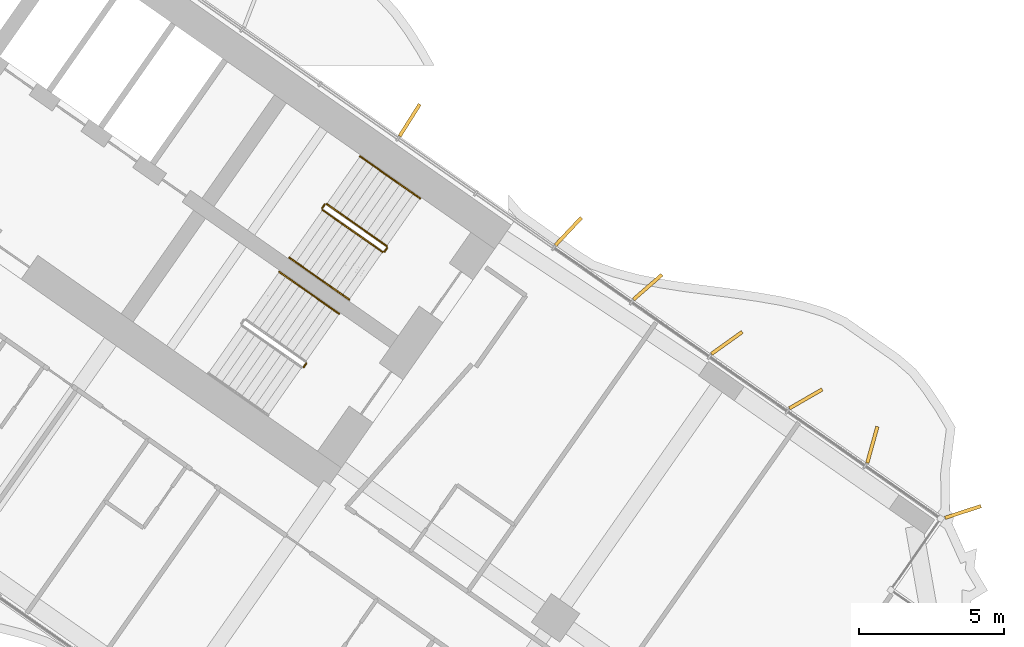
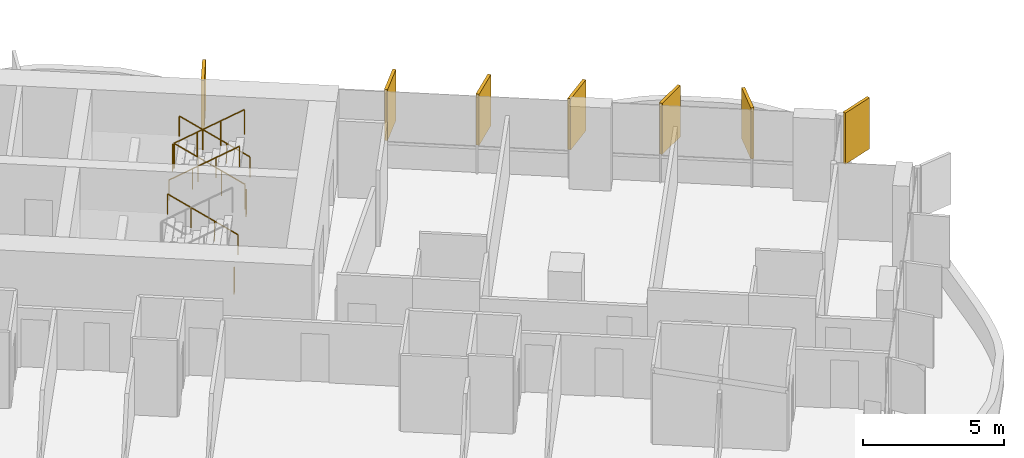
# One storey, part 24 of 24: 8 railings, 7 shading devices.
"""IFC4 building model written with IfcOpenShell, lengths in metres."""

from ifc_helpers import new_model, si_unit, direction, frame, origin, origin_2d, place, context, subcontext, project, spatial, rectangle, circle, extrude, material, layer, layer_set, type_object, element, save


model = new_model("IFC4")

# Units and contexts
model_context = context("Model", 3, precision=1e-05, world=origin(), true_north=direction((0.0, 1.0)))
body_context = subcontext(model_context, "Body", "Model", "MODEL_VIEW")
ifc_project = project(units=[si_unit("LENGTHUNIT", "METRE"), si_unit("AREAUNIT", "SQUARE_METRE"), si_unit("VOLUMEUNIT", "CUBIC_METRE"), si_unit("PLANEANGLEUNIT", "RADIAN"), si_unit("MASSUNIT", "GRAM", prefix="KILO")], contexts=[model_context])

# Site, building, storey
site_placement = place(None, origin())
site = spatial("IfcSite", under=ifc_project, at=site_placement, CompositionType="ELEMENT")
building_placement = place(site_placement, origin())
building = spatial("IfcBuilding", under=site, at=building_placement, Name="Tel Ilan Convention Tower", CompositionType="ELEMENT")
storey_placement = place(building_placement, frame((0.0, 0.0, 65.300048828125)))
storey = spatial("IfcBuildingStorey", under=building, at=storey_placement, Name="L11", CompositionType="ELEMENT", Elevation=65.300048828125)

# Shading devices
ifc_material_1 = material(Name="Aluminium, bronze anodised", Category="aluminium")
ifc_layer = layer(ifc_material_1, 0.1201171875)
ifc_layer_set = layer_set([ifc_layer], Name="FIN BRONZE 1300x120")
shading_device_type = type_object("IfcShadingDeviceType", Name="FIN BRONZE 1300x120", PredefinedType="USERDEFINED", material=ifc_layer_set)
for number, where, z_axis, x_axis, name in (
    (1, (29.933837890625, -7.3466796875, 1.10009765625), (0.0, 0.0, 1.0), (0.686241637865, 0.727373641577, 0.0), "FIN"),
    (2, (24.470458984375, -3.520751953125, 1.10009765625), (0.0, 0.0, 1.0), (0.533204432798, 0.845986425922, 0.0), "FIN"),
    (3, (43.509521484375, -17.00390625, 1.10009765625), (0.0, 0.0, 1.0), (0.949242643575, 0.314544756146, 0.0), "FIN"),
    (4, (40.3896484375, -14.69091796875, 1.10009765625), (0.0, 0.0, 1.0), (0.268172612768, 0.963370878614, 0.0), "FIN"),
    (5, (38.10107421875, -13.111083984375, 1.10009765625), (0.0, 0.0, 1.0), (0.866025403784, 0.5, 0.0), "FIN"),
    (6, (35.383544921875, -11.185791015625, 1.10009765625), (0.0, 0.0, 1.0), (0.813552070258, 0.581492071294, 0.0), "FIN"),
    (7, (32.660888671875, -9.26416015625, 1.10009765625), (0.0, 0.0, 1.0), (0.753435896329, 0.657521368568, 0.0), "FIN"),
):
    element("IfcShadingDevice", number, at=place(storey_placement, frame(where, z_axis=z_axis, x_axis=x_axis)), inside=storey, type_object=shading_device_type, Name=name, ObjectType="FIN", PredefinedType="USERDEFINED", context=body_context, shape_type="SweptSolid", body=[
        extrude(rectangle(XDim=1.300048828125, YDim=0.1201171875, at=origin_2d()), origin(), (0.0, 0.0, 1.0), 2.219970703125),
    ])

# Railings
ifc_material_2 = material(Name="Stainless Steel Grade 316", Category="steel")
railing_type_1 = type_object("IfcRailingType", Name="Stainless Steel Stair Guard 1100 mm", PredefinedType="GUARDRAIL", material=ifc_material_2)
railing_1_placement = place(storey_placement, frame((23.6787109375, -7.8515625, 0.179931640625)))
element("IfcRailing", 8, at=railing_1_placement, inside=storey, type_object=railing_type_1, Name="L11 S3 stair guard 1", PredefinedType="GUARDRAIL", context=body_context, shape_type="SweptSolid", body=[
    extrude(circle(Radius=0.02392578125, at=origin_2d()), frame((0.0, 0.0, 1.076171875), z_axis=(-0.689013013563, 0.482512838948, 0.540779462804), x_axis=(-0.573624882958, -0.819118119475, 0.0)), (0.0, 0.0, 1.0), 2.995849609375),
    extrude(circle(Radius=0.02099609375, at=origin_2d()), origin(), (0.0, 0.0, 1.0), 1.052001953125),
    extrude(circle(Radius=0.02099609375, at=origin_2d()), frame((-0.68798828125, 0.48193359375, 0.5400390625)), (0.0, 0.0, 1.0), 1.052001953125),
    extrude(circle(Radius=0.02099609375, at=origin_2d()), frame((-1.376220703125, 0.963623046875, 1.080078125)), (0.0, 0.0, 1.0), 1.052001953125),
    extrude(circle(Radius=0.02099609375, at=origin_2d()), frame((-2.064208984375, 1.445556640625, 1.6201171875)), (0.0, 0.0, 1.0), 1.052001953125),
])
railing_2_placement = place(storey_placement, frame((21.544921875, -6.41845703125, 1.800048828125)))
element("IfcRailing", 9, at=railing_2_placement, inside=storey, type_object=railing_type_1, Name="L11 S3 stair guard 2", PredefinedType="GUARDRAIL", context=body_context, shape_type="SweptSolid", body=[
    extrude(circle(Radius=0.02392578125, at=origin_2d()), frame((0.0, 0.0, 1.076171875), z_axis=(-0.573353020881, -0.819308436089, 0.0), x_axis=(0.819308436089, -0.573353020881, 0.0)), (0.0, 0.0, 1.0), 0.14990234375),
    extrude(circle(Radius=0.02099609375, at=origin_2d()), origin(), (0.0, 0.0, 1.0), 1.052001953125),
    extrude(circle(Radius=0.02099609375, at=origin_2d()), frame((-0.0859375, -0.122802734375, 0.0)), (0.0, 0.0, 1.0), 1.052001953125),
])
railing_3_placement = place(storey_placement, frame((21.47119140625, -6.61083984375, 1.97998046875)))
element("IfcRailing", 10, at=railing_3_placement, inside=storey, type_object=railing_type_1, Name="L11 S3 stair guard 3", PredefinedType="GUARDRAIL", context=body_context, shape_type="SweptSolid", body=[
    extrude(circle(Radius=0.02392578125, at=origin_2d()), frame((0.0, 0.0, 1.076171875), z_axis=(0.689043377453, -0.48253410265, 0.540721798865), x_axis=(0.573624882958, 0.819118119475, 0.0)), (0.0, 0.0, 1.0), 2.995849609375),
    extrude(circle(Radius=0.02099609375, at=origin_2d()), origin(), (0.0, 0.0, 1.0), 1.052001953125),
    extrude(circle(Radius=0.02099609375, at=origin_2d()), frame((0.68798828125, -0.48193359375, 0.5400390625)), (0.0, 0.0, 1.0), 1.052001953125),
    extrude(circle(Radius=0.02099609375, at=origin_2d()), frame((1.376220703125, -0.963623046875, 1.079833984375)), (0.0, 0.0, 1.0), 1.052001953125),
    extrude(circle(Radius=0.02099609375, at=origin_2d()), frame((2.064208984375, -1.445556640625, 1.619873046875)), (0.0, 0.0, 1.0), 1.052001953125),
])
railing_4_placement = place(storey_placement, frame((23.691162109375, -7.921142578125, 0.0)))
element("IfcRailing", 11, at=railing_4_placement, inside=storey, type_object=railing_type_1, Name="L11 S3 stair guard 4", PredefinedType="GUARDRAIL", context=body_context, shape_type="SweptSolid", body=[
    extrude(circle(Radius=0.02392578125, at=origin_2d()), frame((0.0, 0.0, 1.076171875), z_axis=(-0.574444878118, -0.818543268254, 0.0), x_axis=(0.818543268254, -0.574444878118, 0.0)), (0.0, 0.0, 1.0), 0.150146484375),
    extrude(circle(Radius=0.02099609375, at=origin_2d()), origin(), (0.0, 0.0, 1.0), 1.052001953125),
    extrude(circle(Radius=0.02099609375, at=origin_2d()), frame((-0.086181640625, -0.122802734375, 0.0)), (0.0, 0.0, 1.0), 1.052001953125),
])
railing_5_placement = place(storey_placement, frame((20.9091796875, -11.89404296875, 0.0)))
element("IfcRailing", 12, at=railing_5_placement, inside=storey, type_object=railing_type_1, Name="L11 S4 stair guard 4", PredefinedType="GUARDRAIL", context=body_context, shape_type="SweptSolid", body=[
    extrude(circle(Radius=0.02392578125, at=origin_2d()), frame((0.0, 0.0, 1.076171875), z_axis=(-0.573353020881, -0.819308436089, 0.0), x_axis=(0.819308436089, -0.573353020881, 0.0)), (0.0, 0.0, 1.0), 0.14990234375),
    extrude(circle(Radius=0.02099609375, at=origin_2d()), origin(), (0.0, 0.0, 1.0), 1.052001953125),
    extrude(circle(Radius=0.02099609375, at=origin_2d()), frame((-0.0859375, -0.122802734375, 0.0)), (0.0, 0.0, 1.0), 1.052001953125),
])
ifc_material_3 = material(Name="Stainless Steel Grade 316", Category="steel")
railing_type_2 = type_object("IfcRailingType", Name="Stainless Steel Stair Handrail 900 mm", PredefinedType="HANDRAIL", material=ifc_material_3)
railing_6_placement = place(storey_placement, frame((24.825927734375, -6.213134765625, 0.179931640625)))
element("IfcRailing", 13, at=railing_6_placement, inside=storey, type_object=railing_type_2, Name="L11 S3 stair handrail 1", PredefinedType="HANDRAIL", context=body_context, shape_type="SweptSolid", body=[
    extrude(circle(Radius=0.02392578125, at=origin_2d()), frame((0.0, 0.0, 0.8759765625), z_axis=(-0.689040105437, 0.482450316285, 0.54080072616), x_axis=(-0.573559875649, -0.819163639968, 0.0)), (0.0, 0.0, 1.0), 2.995849609375),
    extrude(circle(Radius=0.02099609375, at=origin_2d()), origin(), (0.0, 0.0, 1.0), 0.851806640625),
    extrude(circle(Radius=0.02099609375, at=origin_2d()), frame((-0.68798828125, 0.481689453125, 0.5400390625)), (0.0, 0.0, 1.0), 0.851806640625),
    extrude(circle(Radius=0.02099609375, at=origin_2d()), frame((-1.376220703125, 0.963623046875, 1.080078125)), (0.0, 0.0, 1.0), 0.851806640625),
    extrude(circle(Radius=0.02099609375, at=origin_2d()), frame((-2.064208984375, 1.4453125, 1.6201171875)), (0.0, 0.0, 1.0), 0.851806640625),
])
railing_7_placement = place(storey_placement, frame((20.323974609375, -8.249267578125, 1.97998046875)))
element("IfcRailing", 14, at=railing_7_placement, inside=storey, type_object=railing_type_2, Name="L11 S3 stair handrail 2", PredefinedType="HANDRAIL", context=body_context, shape_type="SweptSolid", body=[
    extrude(circle(Radius=0.02392578125, at=origin_2d()), frame((0.0, 0.0, 0.8759765625), z_axis=(0.68907047291, -0.482471578903, 0.540743061828), x_axis=(0.573559875649, 0.819163639968, 0.0)), (0.0, 0.0, 1.0), 2.99560546875),
    extrude(circle(Radius=0.02099609375, at=origin_2d()), origin(), (0.0, 0.0, 1.0), 0.851806640625),
    extrude(circle(Radius=0.02099609375, at=origin_2d()), frame((0.68798828125, -0.481689453125, 0.5400390625)), (0.0, 0.0, 1.0), 0.851806640625),
    extrude(circle(Radius=0.02099609375, at=origin_2d()), frame((1.376220703125, -0.963623046875, 1.079833984375)), (0.0, 0.0, 1.0), 0.851806640625),
    extrude(circle(Radius=0.02099609375, at=origin_2d()), frame((2.064208984375, -1.4453125, 1.619873046875)), (0.0, 0.0, 1.0), 0.851806640625),
])
railing_8_placement = place(storey_placement, frame((22.044189453125, -10.18603515625, 0.179931640625)))
element("IfcRailing", 15, at=railing_8_placement, inside=storey, type_object=railing_type_2, Name="L11 S4 stair handrail 1", PredefinedType="HANDRAIL", context=body_context, shape_type="SweptSolid", body=[
    extrude(circle(Radius=0.02392578125, at=origin_2d()), frame((0.0, 0.0, 0.8759765625), z_axis=(-0.689082904933, 0.482423225781, 0.540770359169), x_axis=(-0.573514357932, -0.81919550856, 0.0)), (0.0, 0.0, 1.0), 2.995849609375),
    extrude(circle(Radius=0.02099609375, at=origin_2d()), origin(), (0.0, 0.0, 1.0), 0.851806640625),
    extrude(circle(Radius=0.02099609375, at=origin_2d()), frame((-0.688232421875, 0.481689453125, 0.5400390625)), (0.0, 0.0, 1.0), 0.851806640625),
    extrude(circle(Radius=0.02099609375, at=origin_2d()), frame((-1.376220703125, 0.963623046875, 1.080078125)), (0.0, 0.0, 1.0), 0.851806640625),
    extrude(circle(Radius=0.02099609375, at=origin_2d()), frame((-2.064453125, 1.4453125, 1.6201171875)), (0.0, 0.0, 1.0), 0.851806640625),
])

save(model, "model.ifc")
